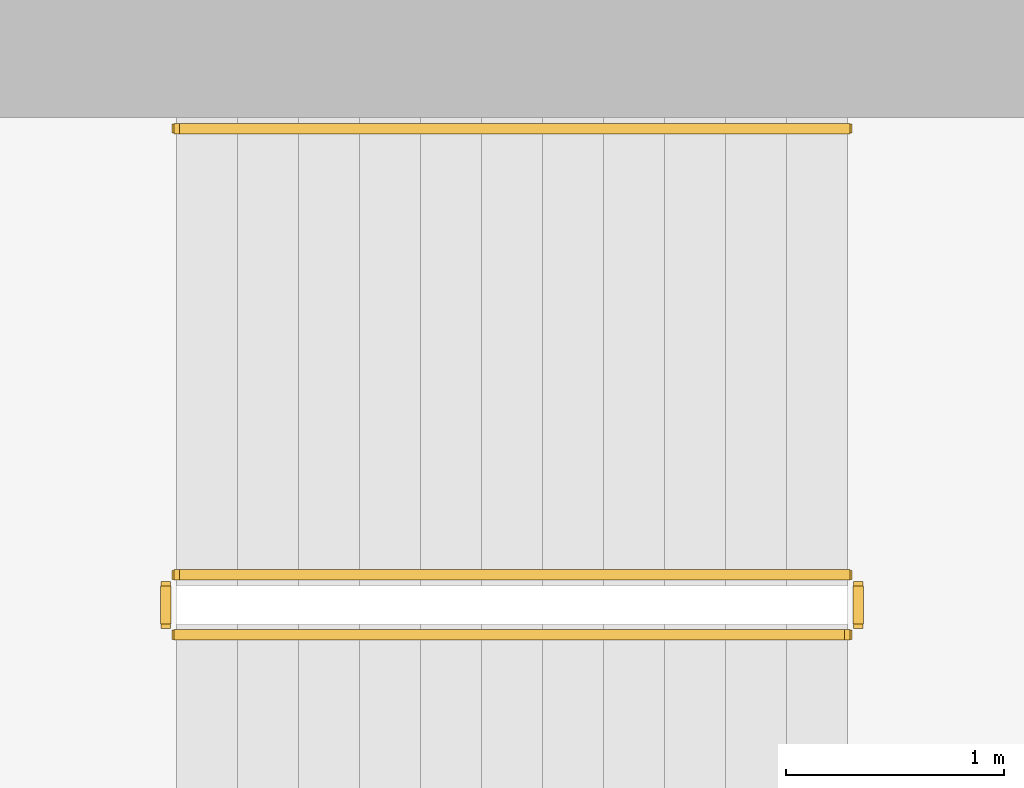
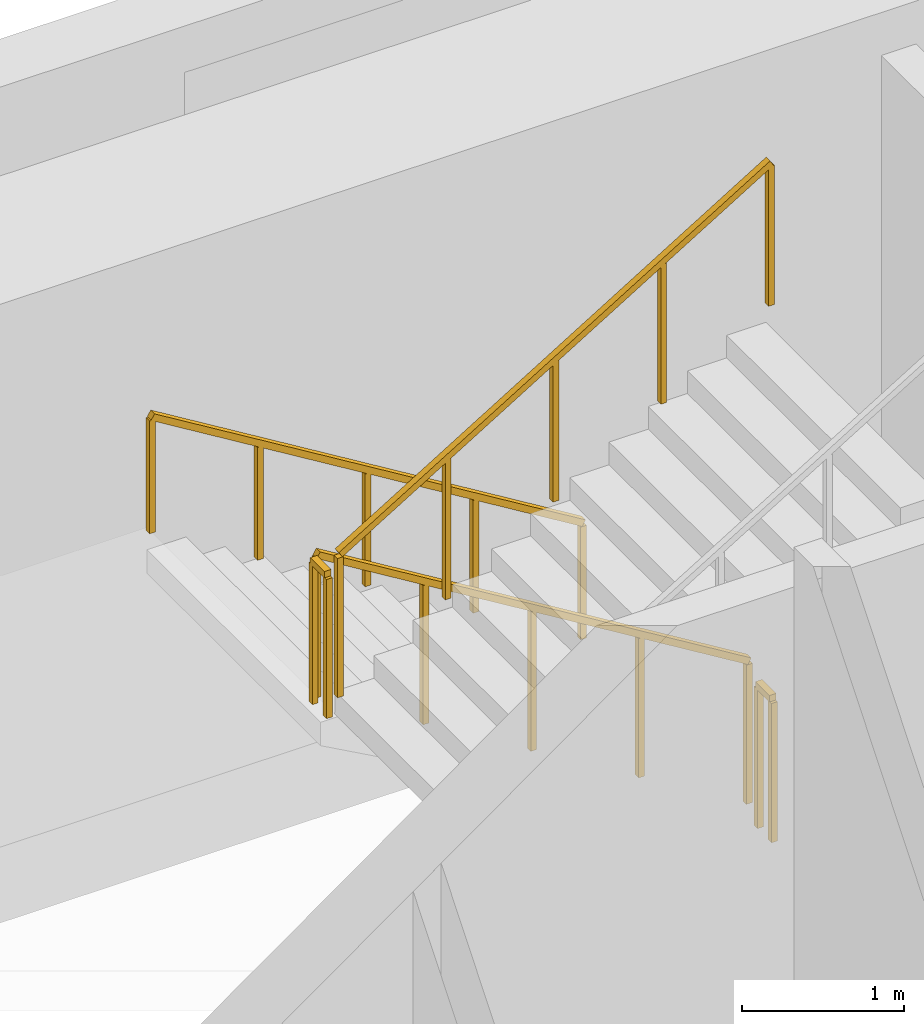
# One storey, part 13 of 14: 5 railings.
"""IFC4 building model written with IfcOpenShell, lengths in metres."""

from ifc_helpers import new_model, si_unit, direction, frame, origin, origin_2d, place, context, subcontext, project, spatial, rectangle, extrude, material, type_object, element, save


model = new_model("IFC4")

# Units and contexts
model_context = context("Model", 3, precision=1e-05, world=origin(), true_north=direction((0.0, 1.0)))
body_context = subcontext(model_context, "Body", "Model", "MODEL_VIEW")
ifc_project = project(units=[si_unit("LENGTHUNIT", "METRE"), si_unit("AREAUNIT", "SQUARE_METRE"), si_unit("VOLUMEUNIT", "CUBIC_METRE"), si_unit("PLANEANGLEUNIT", "RADIAN"), si_unit("MASSUNIT", "GRAM", prefix="KILO")], contexts=[model_context])

# Site, building, storey
site_placement = place(None, origin())
site = spatial("IfcSite", under=ifc_project, at=site_placement, CompositionType="ELEMENT")
building_placement = place(site_placement, origin())
building = spatial("IfcBuilding", under=site, at=building_placement, Name="Cypress Arch Tower", CompositionType="ELEMENT")
storey_placement = place(building_placement, frame((0.0, 0.0, 247.5)))
storey = spatial("IfcBuildingStorey", under=building, at=storey_placement, Name="L55", CompositionType="ELEMENT", Elevation=247.5)

# Railings
ifc_material_1 = material(Name="Black powder-coated steel square bar 48 mm", Category="steel")
railing_type_1 = type_object("IfcRailingType", Name="Stair handrail HR1", PredefinedType="HANDRAIL", material=ifc_material_1)
railing_1_placement = place(storey_placement, frame((-22.27490234375, 14.75, 0.1708984375)))
element("IfcRailing", 1, at=railing_1_placement, inside=storey, type_object=railing_type_1, Name="L55 B stair handrail 1", PredefinedType="HANDRAIL", context=body_context, shape_type="SweptSolid", body=[
    extrude(rectangle(XDim=0.048095703125, YDim=0.048095703125, at=origin_2d()), frame((0.0, 0.0, 0.8759765625), z_axis=(-0.853666305674, 0.0, 0.52082035152), x_axis=(0.0, -1.0, 0.0)), (0.0, 0.0, 1.0), 3.608154296875),
    extrude(rectangle(XDim=0.0419921875, YDim=0.0419921875, at=origin_2d()), origin(), (0.0, 0.0, 1.0), 0.851806640625),
    extrude(rectangle(XDim=0.0419921875, YDim=0.0419921875, at=origin_2d()), frame((-0.77001953125, 0.0, 0.4697265625)), (0.0, 0.0, 1.0), 0.851806640625),
    extrude(rectangle(XDim=0.0419921875, YDim=0.0419921875, at=origin_2d()), frame((-1.5400390625, 0.0, 0.939453125)), (0.0, 0.0, 1.0), 0.851806640625),
    extrude(rectangle(XDim=0.0419921875, YDim=0.0419921875, at=origin_2d()), frame((-2.31005859375, 0.0, 1.409423828125)), (0.0, 0.0, 1.0), 0.851806640625),
    extrude(rectangle(XDim=0.0419921875, YDim=0.0419921875, at=origin_2d()), frame((-3.080078125, 0.0, 1.879150390625)), (0.0, 0.0, 1.0), 0.851806640625),
])
ifc_material_2 = material(Name="Black powder-coated steel balusters", Category="steel")
railing_type_2 = type_object("IfcRailingType", Name="Stair well guard G1", PredefinedType="GUARDRAIL", material=ifc_material_2)
railing_2_placement = place(storey_placement, frame((-22.27490234375, 12.699951171875, 0.1708984375)))
element("IfcRailing", 2, at=railing_2_placement, inside=storey, type_object=railing_type_2, Name="L55 B stair guard 1", PredefinedType="GUARDRAIL", context=body_context, shape_type="SweptSolid", body=[
    extrude(rectangle(XDim=0.048095703125, YDim=0.048095703125, at=origin_2d()), frame((0.0, 0.0, 1.076171875), z_axis=(-0.853666305674, 0.0, 0.52082035152), x_axis=(0.0, -1.0, 0.0)), (0.0, 0.0, 1.0), 3.608154296875),
    extrude(rectangle(XDim=0.0419921875, YDim=0.0419921875, at=origin_2d()), origin(), (0.0, 0.0, 1.0), 1.052001953125),
    extrude(rectangle(XDim=0.0419921875, YDim=0.0419921875, at=origin_2d()), frame((-0.77001953125, 0.0, 0.4697265625)), (0.0, 0.0, 1.0), 1.052001953125),
    extrude(rectangle(XDim=0.0419921875, YDim=0.0419921875, at=origin_2d()), frame((-1.5400390625, 0.0, 0.939453125)), (0.0, 0.0, 1.0), 1.052001953125),
    extrude(rectangle(XDim=0.0419921875, YDim=0.0419921875, at=origin_2d()), frame((-2.31005859375, 0.0, 1.409423828125)), (0.0, 0.0, 1.0), 1.052001953125),
    extrude(rectangle(XDim=0.0419921875, YDim=0.0419921875, at=origin_2d()), frame((-3.080078125, 0.0, 1.879150390625)), (0.0, 0.0, 1.0), 1.052001953125),
])
railing_3_placement = place(storey_placement, frame((-25.405029296875, 12.64990234375, 2.050048828125)))
element("IfcRailing", 3, at=railing_3_placement, inside=storey, type_object=railing_type_2, Name="L55 B stair guard 2", PredefinedType="GUARDRAIL", context=body_context, shape_type="SweptSolid", body=[
    extrude(rectangle(XDim=0.048095703125, YDim=0.048095703125, at=origin_2d()), frame((0.0, 0.0, 1.076171875), z_axis=(0.0, -1.0, 0.0), x_axis=(1.0, 0.0, 0.0)), (0.0, 0.0, 1.0), 0.1748046875),
    extrude(rectangle(XDim=0.0419921875, YDim=0.0419921875, at=origin_2d()), origin(), (0.0, 0.0, 1.0), 1.052001953125),
    extrude(rectangle(XDim=0.0419921875, YDim=0.0419921875, at=origin_2d()), frame((0.0, -0.1748046875, 0.0)), (0.0, 0.0, 1.0), 1.052001953125),
])
railing_4_placement = place(storey_placement, frame((-25.35498046875, 12.425048828125, 2.220947265625)))
element("IfcRailing", 4, at=railing_4_placement, inside=storey, type_object=railing_type_2, Name="L55 B stair guard 3", PredefinedType="GUARDRAIL", context=body_context, shape_type="SweptSolid", body=[
    extrude(rectangle(XDim=0.048095703125, YDim=0.048095703125, at=origin_2d()), frame((0.0, 0.0, 1.076171875), z_axis=(0.853666305674, 0.0, 0.52082035152), x_axis=(0.0, 1.0, 0.0)), (0.0, 0.0, 1.0), 3.608154296875),
    extrude(rectangle(XDim=0.0419921875, YDim=0.0419921875, at=origin_2d()), origin(), (0.0, 0.0, 1.0), 1.052001953125),
    extrude(rectangle(XDim=0.0419921875, YDim=0.0419921875, at=origin_2d()), frame((0.77001953125, 0.0, 0.4697265625)), (0.0, 0.0, 1.0), 1.052001953125),
    extrude(rectangle(XDim=0.0419921875, YDim=0.0419921875, at=origin_2d()), frame((1.5400390625, 0.0, 0.939453125)), (0.0, 0.0, 1.0), 1.052001953125),
    extrude(rectangle(XDim=0.0419921875, YDim=0.0419921875, at=origin_2d()), frame((2.31005859375, 0.0, 1.409423828125)), (0.0, 0.0, 1.0), 1.052001953125),
    extrude(rectangle(XDim=0.0419921875, YDim=0.0419921875, at=origin_2d()), frame((3.080078125, 0.0, 1.879150390625)), (0.0, 0.0, 1.0), 1.052001953125),
])
railing_5_placement = place(storey_placement, frame((-22.22509765625, 12.64990234375, 0.0)))
element("IfcRailing", 5, at=railing_5_placement, inside=storey, type_object=railing_type_2, Name="L55 B stair guard 4", PredefinedType="GUARDRAIL", context=body_context, shape_type="SweptSolid", body=[
    extrude(rectangle(XDim=0.048095703125, YDim=0.048095703125, at=origin_2d()), frame((0.0, 0.0, 1.076171875), z_axis=(0.0, -1.0, 0.0), x_axis=(1.0, 0.0, 0.0)), (0.0, 0.0, 1.0), 0.1748046875),
    extrude(rectangle(XDim=0.0419921875, YDim=0.0419921875, at=origin_2d()), origin(), (0.0, 0.0, 1.0), 1.052001953125),
    extrude(rectangle(XDim=0.0419921875, YDim=0.0419921875, at=origin_2d()), frame((0.0, -0.1748046875, 0.0)), (0.0, 0.0, 1.0), 1.052001953125),
])

save(model, "model.ifc")
